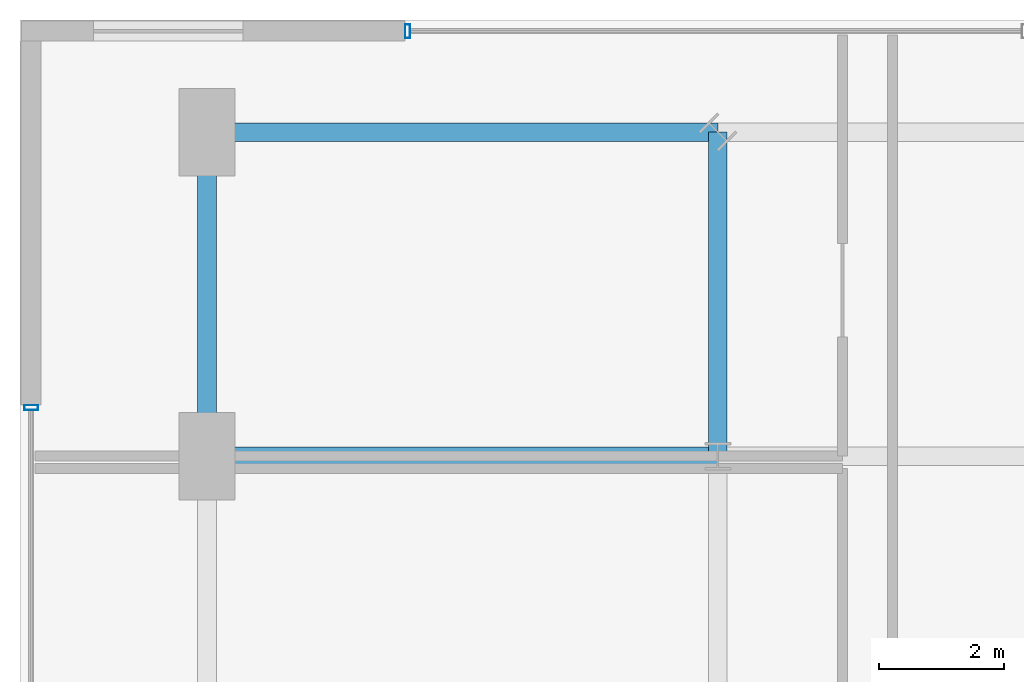
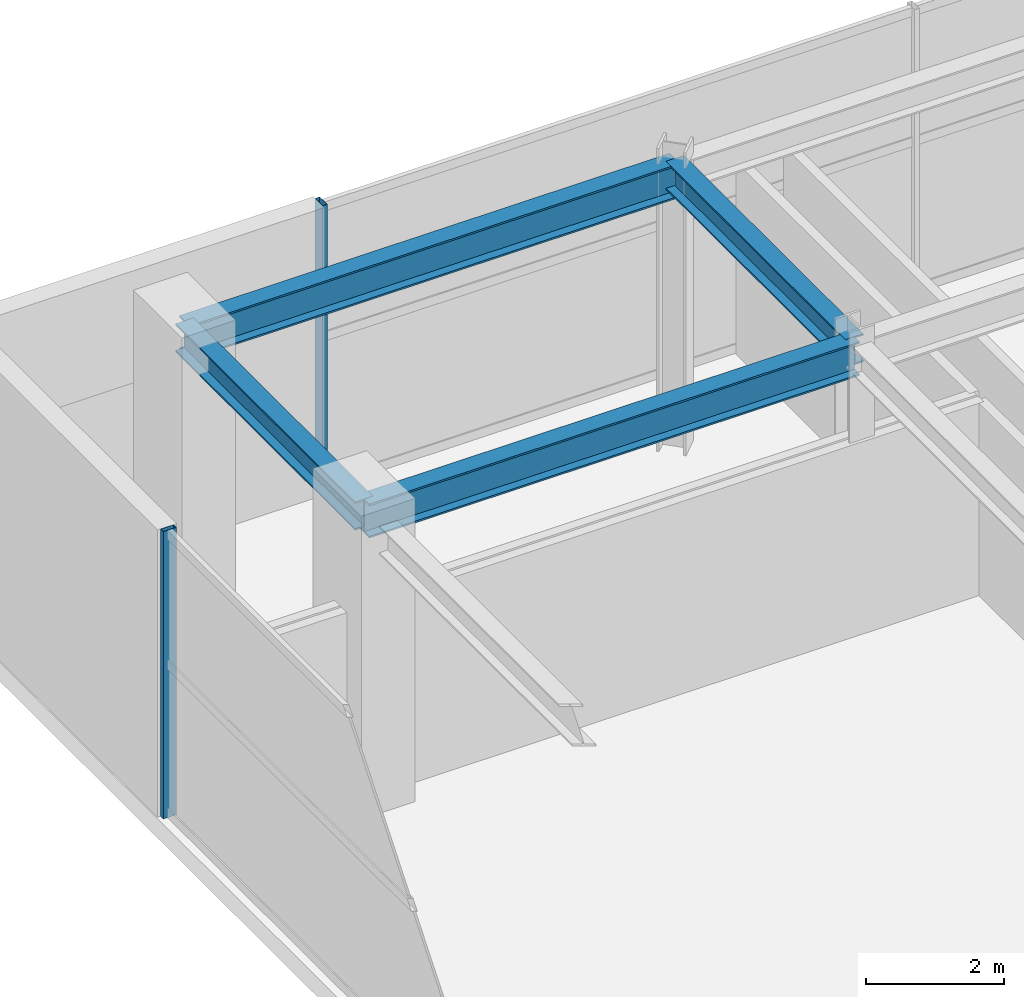
# One storey, part 13 of 34: 4 beams, 2 members, 2 elements without a shape of their own.
"""IFC4 building model written with IfcOpenShell, lengths in metres."""

from ifc_helpers import new_model, si_unit, direction, frame, origin, origin_2d, place, context, subcontext, project, spatial, hollow_rectangle, i_section, extrude, source, transform, mapped, material, material_profile, profile_set, type_object, element, aggregate, save


model = new_model("IFC4")

# Units and contexts
model_context = context("Model", 3, precision=1e-05, world=origin(), true_north=direction((0.0, 1.0)))
body_context = subcontext(model_context, "Body", "Model", "MODEL_VIEW")
ifc_project = project(units=[si_unit("LENGTHUNIT", "METRE"), si_unit("AREAUNIT", "SQUARE_METRE"), si_unit("VOLUMEUNIT", "CUBIC_METRE"), si_unit("PLANEANGLEUNIT", "RADIAN"), si_unit("MASSUNIT", "GRAM", prefix="KILO")], contexts=[model_context])

# Site, building, storey
site_placement = place(None, origin())
site = spatial("IfcSite", under=ifc_project, at=site_placement, CompositionType="ELEMENT")
building_placement = place(site_placement, origin())
building = spatial("IfcBuilding", under=site, at=building_placement, Name="Nahalor Promenade Grand Hotel", CompositionType="ELEMENT")
storey_placement = place(building_placement, frame((0.0, 0.0, 16.199951171875)))
storey = spatial("IfcBuildingStorey", under=building, at=storey_placement, Name="L03", CompositionType="ELEMENT", Elevation=16.199951171875)

# Beams
ifc_material_1 = material(Name="Steel S355JR", Category="steel")
ifc_material_profile_1 = material_profile(ifc_material_1, i_section(OverallWidth=0.3, OverallDepth=0.6, WebThickness=0.0155, FlangeThickness=0.03, at=origin_2d()), Name="HEB 600")
ifc_profile_set_1 = profile_set([ifc_material_profile_1], Name="Steel S355JR")
beam_type_1 = type_object("IfcBeamType", Name="Beam-Girder-HEB600", PredefinedType="BEAM", material=ifc_profile_set_1)
shared_shape_1 = source(origin(), body_context, "Body", "SweptSolid", [
    extrude(i_section(OverallWidth=0.3, OverallDepth=0.6, WebThickness=0.0155, FlangeThickness=0.03, at=origin_2d()), origin(), (0.0, 0.0, 1.0), 8.199951171875),
])
for number, where, z_axis, x_axis, name in (
    (1, (-33.0, 17.0, 4.780029296875), (1.0, 0.0, 0.0), (0.0, 1.0, 0.0), "BM-L03-GX-3-0"),
    (2, (-24.800048828125, 22.199951171875, 4.780029296875), (-1.0, 0.0, 0.0), (0.0, -1.0, 0.0), "BM-L03-TIE-PW-+22"),
):
    element("IfcBeam", number, at=place(storey_placement, frame(where, z_axis=z_axis, x_axis=x_axis)), inside=storey, type_object=beam_type_1, Name=name, PredefinedType="BEAM", context=body_context, shape_type="MappedRepresentation", body=[
        mapped(shared_shape_1, transform((0.0, 0.0, 0.0), scale=1.0)),
    ])
ifc_material_profile_2 = material_profile(ifc_material_1, i_section(OverallWidth=0.3, OverallDepth=0.5, WebThickness=0.0145, FlangeThickness=0.028, at=origin_2d()), Name="HEB 500")
ifc_profile_set_2 = profile_set([ifc_material_profile_2], Name="Steel S355JR")
beam_type_2 = type_object("IfcBeamType", Name="Beam-Spandrel-HEB500", PredefinedType="SPANDREL", material=ifc_profile_set_2)
shared_shape_2 = source(origin(), body_context, "Body", "SweptSolid", [
    extrude(i_section(OverallWidth=0.3, OverallDepth=0.5, WebThickness=0.0145, FlangeThickness=0.028, at=origin_2d()), origin(), (0.0, 0.0, 1.0), 5.199951171875),
])
for number, where, z_axis, x_axis, name in (
    (3, (-24.800048828125, 22.199951171875, 4.830078125), (0.0, -1.0, 0.0), (1.0, 0.0, 0.0), "BM-L03-SPC-NW-2"),
    (4, (-33.0, 17.0, 4.830078125), (0.0, 1.0, 0.0), (-1.0, 0.0, 0.0), "BM-L03-PW-3"),
):
    element("IfcBeam", number, at=place(storey_placement, frame(where, z_axis=z_axis, x_axis=x_axis)), inside=storey, type_object=beam_type_2, Name=name, PredefinedType="SPANDREL", context=body_context, shape_type="MappedRepresentation", body=[
        mapped(shared_shape_2, transform((0.0, 0.0, 0.0), scale=1.0)),
    ])

# Curtain wall, member
ifc_material_2 = material(Name="Anodised Bronze Aluminium EN AW-6063 T6", Category="aluminium")
curtain_wall_type = type_object("IfcCurtainWallType", Name="CW1 Waterfront Podium Bronze Arcade Curtain Wall", PredefinedType="USERDEFINED", material=ifc_material_2)
curtain_wall_1_placement = place(storey_placement, origin())
curtain_wall_1 = element("IfcCurtainWall", 5, at=curtain_wall_1_placement, inside=storey, type_object=curtain_wall_type, Name="L03 Curtain Wall CW-L03-N", ObjectType="UNITISED_CURTAIN_WALL", PredefinedType="USERDEFINED")
ifc_material_profile_3 = material_profile(ifc_material_2, hollow_rectangle(XDim=0.08, YDim=0.22, WallThickness=0.005, at=origin_2d()), Name="CWM 80x220x5")
ifc_profile_set_3 = profile_set([ifc_material_profile_3], Name="Anodised Bronze Aluminium EN AW-6063 T6")
member_type = type_object("IfcMemberType", Name="CWM1 Podium Bronze Mullion 80x220", PredefinedType="MULLION", material=ifc_profile_set_3)
shared_shape_3 = source(origin(), body_context, "Body", "SweptSolid", [
    extrude(hollow_rectangle(XDim=0.08, YDim=0.22, WallThickness=0.005, at=origin_2d()), origin(), (0.0, 0.0, 1.0), 5.080078125),
])
member_1_placement = place(storey_placement, frame((-29.780029296875, 23.820068359375, 0.0), z_axis=(0.0, 0.0, 1.0), x_axis=(1.0, 0.0, 0.0)))
member_1 = element("IfcMember", 6, at=member_1_placement, type_object=member_type, Name="CW-L03-N Mullion 0", PredefinedType="MULLION", context=body_context, shape_type="MappedRepresentation", body=[
    mapped(shared_shape_3, transform((0.0, 0.0, 0.0), scale=1.0)),
])
aggregate(curtain_wall_1, [member_1])

curtain_wall_2_placement = place(storey_placement, origin())
curtain_wall_2 = element("IfcCurtainWall", 7, at=curtain_wall_2_placement, inside=storey, type_object=curtain_wall_type, Name="L03 Curtain Wall CW-L03-W", ObjectType="UNITISED_CURTAIN_WALL", PredefinedType="USERDEFINED")
member_2_placement = place(storey_placement, frame((-35.820068359375, 17.780029296875, 0.0), z_axis=(0.0, 0.0, 1.0), x_axis=(0.0, 1.0, 0.0)))
member_2 = element("IfcMember", 8, at=member_2_placement, type_object=member_type, Name="CW-L03-W Mullion 3", PredefinedType="MULLION", context=body_context, shape_type="MappedRepresentation", body=[
    mapped(shared_shape_3, transform((0.0, 0.0, 0.0), scale=1.0)),
])
aggregate(curtain_wall_2, [member_2])

save(model, "model.ifc")
